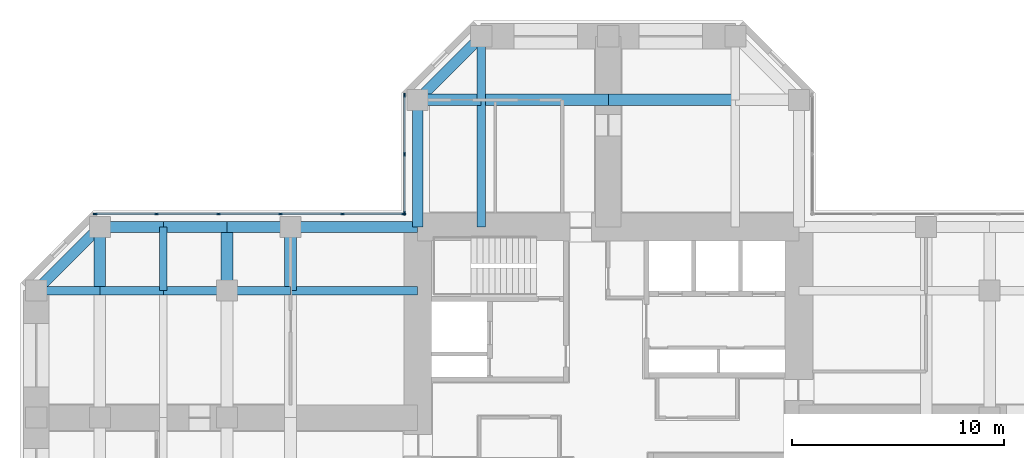
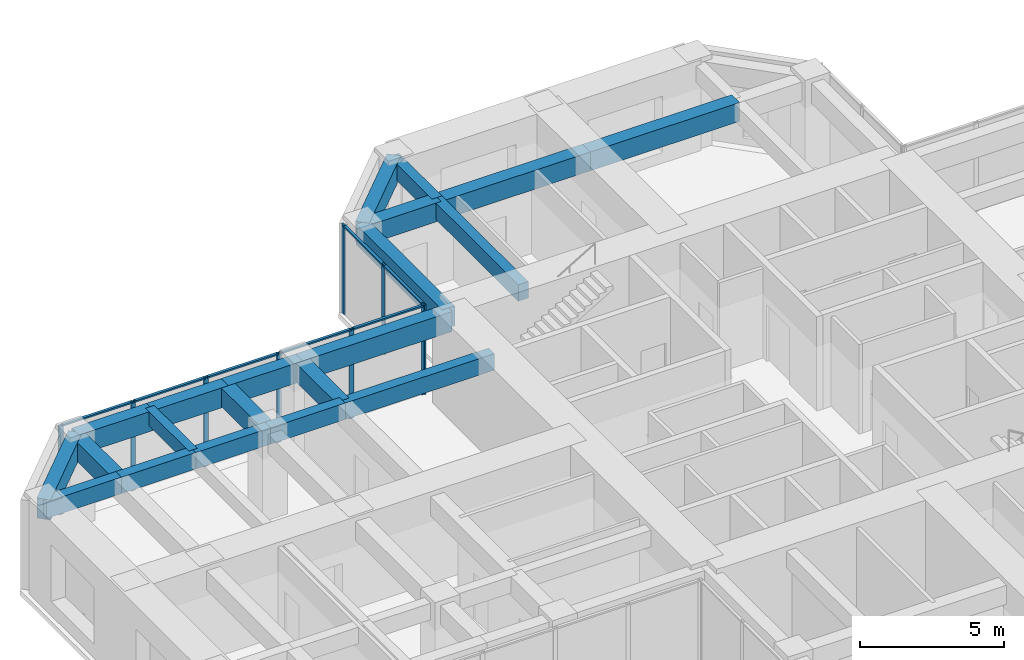
# One storey, part 5 of 12: 21 beams, 16 members, 2 elements without a shape of their own.
"""IFC4 building model written with IfcOpenShell, lengths in metres."""

from ifc_helpers import new_model, si_unit, direction, frame, origin, origin_2d, place, context, subcontext, project, spatial, rectangle, extrude, material, material_profile, profile_set, type_object, element, aggregate, save


model = new_model("IFC4")

# Units and contexts
model_context = context("Model", 3, precision=1e-05, world=origin(), true_north=direction((0.0, 1.0)))
body_context = subcontext(model_context, "Body", "Model", "MODEL_VIEW")
ifc_project = project(units=[si_unit("LENGTHUNIT", "METRE"), si_unit("AREAUNIT", "SQUARE_METRE"), si_unit("VOLUMEUNIT", "CUBIC_METRE"), si_unit("PLANEANGLEUNIT", "RADIAN"), si_unit("MASSUNIT", "GRAM", prefix="KILO")], contexts=[model_context])

# Site, building, storey
site_placement = place(None, origin())
site = spatial("IfcSite", under=ifc_project, at=site_placement, CompositionType="ELEMENT")
building_placement = place(site_placement, origin())
building = spatial("IfcBuilding", under=site, at=building_placement, Name="Torre Cruceta", CompositionType="ELEMENT")
storey_placement = place(building_placement, frame((0.0, 0.0, 140.5)))
storey = spatial("IfcBuildingStorey", under=building, at=storey_placement, Name="L34", CompositionType="ELEMENT", Elevation=140.5)

# Beams
ifc_material_1 = material(Name="Concrete G60 (fck 60 MPa)", Category="concrete")
ifc_material_profile_1 = material_profile(ifc_material_1, rectangle(XDim=0.39990234375, YDim=0.699951171875, at=origin_2d()), Name="RC 400X700")
ifc_profile_set_1 = profile_set([ifc_material_profile_1], Name="Concrete G60 (fck 60 MPa)")
beam_type_1 = type_object("IfcBeamType", Name="COLUMN LINE BEAM RC 400X700", PredefinedType="BEAM", material=ifc_profile_set_1)
beam_1_placement = place(storey_placement, frame((-6.0, 9.0, 3.449951171875), z_axis=(0.0, 1.0, 0.0), x_axis=(-1.0, 0.0, 0.0)))
element("IfcBeam", 1, at=beam_1_placement, inside=storey, type_object=beam_type_1, Name="LB5 L34 N col+ 1", PredefinedType="BEAM", context=body_context, shape_type="SweptSolid", body=[
    extrude(rectangle(XDim=0.39990234375, YDim=0.699951171875, at=origin_2d()), origin(), (0.0, 0.0, 1.0), 6.0),
])
beam_2_placement = place(storey_placement, frame((-6.0, 15.0, 3.449951171875), z_axis=(0.0, 1.0, 0.0), x_axis=(-1.0, 0.0, 0.0)))
element("IfcBeam", 2, at=beam_2_placement, inside=storey, type_object=beam_type_1, Name="LB5 L34 N col+ 2", PredefinedType="BEAM", context=body_context, shape_type="SweptSolid", body=[
    extrude(rectangle(XDim=0.39990234375, YDim=0.699951171875, at=origin_2d()), origin(), (0.0, 0.0, 1.0), 3.0),
])
beam_3_placement = place(storey_placement, frame((-9.0, 6.0, 3.449951171875), z_axis=(-1.0, 0.0, 0.0), x_axis=(0.0, -1.0, 0.0)))
element("IfcBeam", 3, at=beam_3_placement, inside=storey, type_object=beam_type_1, Name="LB5 L34 W col- 1", PredefinedType="BEAM", context=body_context, shape_type="SweptSolid", body=[
    extrude(rectangle(XDim=0.39990234375, YDim=0.699951171875, at=origin_2d()), origin(), (0.0, 0.0, 1.0), 6.0),
])
for number, where, z_axis, x_axis, name in (
    (4, (-15.0, 6.0, 3.449951171875), (-1.0, 0.0, 0.0), (0.0, -1.0, 0.0), "LB5 L34 W col- 2"),
    (5, (-18.0, 6.0, 3.449951171875), (-1.0, 0.0, 0.0), (0.0, -1.0, 0.0), "LB5 L34 W col- 3"),
    (6, (-21.0, 6.0, 3.449951171875), (-1.0, 0.0, 0.0), (0.0, -1.0, 0.0), "LB5 L34 W col- 4"),
    (7, (-24.0, 6.0, 3.449951171875), (-1.0, 0.0, 0.0), (0.0, -1.0, 0.0), "LB5 L34 W col- 5"),
):
    element("IfcBeam", number, at=place(storey_placement, frame(where, z_axis=z_axis, x_axis=x_axis)), inside=storey, type_object=beam_type_1, Name=name, PredefinedType="BEAM", context=body_context, shape_type="SweptSolid", body=[
        extrude(rectangle(XDim=0.39990234375, YDim=0.699951171875, at=origin_2d()), origin(), (0.0, 0.0, 1.0), 3.0),
    ])
ifc_material_2 = material(Name="Concrete G60 (fck 60 MPa)", Category="concrete")
ifc_material_profile_2 = material_profile(ifc_material_2, rectangle(XDim=0.550048828125, YDim=0.800048828125, at=origin_2d()), Name="RC 550X800")
ifc_profile_set_2 = profile_set([ifc_material_profile_2], Name="Concrete G60 (fck 60 MPa)")
beam_type_2 = type_object("IfcBeamType", Name="CROSS BEAM RC 550X800", PredefinedType="BEAM", material=ifc_profile_set_2)
for number, where, z_axis, x_axis, name in (
    (8, (6.0, 15.0, 3.39990234375), (-1.0, 0.0, 0.0), (0.0, -1.0, 0.0), "GB5 L34 N cross15 2"),
    (9, (0.0, 15.0, 3.39990234375), (-1.0, 0.0, 0.0), (0.0, -1.0, 0.0), "GB5 L34 N cross15 3"),
):
    element("IfcBeam", number, at=place(storey_placement, frame(where, z_axis=z_axis, x_axis=x_axis)), inside=storey, type_object=beam_type_2, Name=name, PredefinedType="BEAM", context=body_context, shape_type="SweptSolid", body=[
        extrude(rectangle(XDim=0.550048828125, YDim=0.800048828125, at=origin_2d()), origin(), (0.0, 0.0, 1.0), 6.0),
    ])
for number, where, z_axis, x_axis, name in (
    (10, (-6.0, 15.0, 3.39990234375), (-1.0, 0.0, 0.0), (0.0, -1.0, 0.0), "GB5 L34 N cross15 4"),
    (11, (-15.0, 9.0, 3.39990234375), (0.0, -1.0, 0.0), (1.0, 0.0, 0.0), "GB5 L34 W cross15 1"),
    (12, (-18.0, 9.0, 3.39990234375), (0.0, -1.0, 0.0), (1.0, 0.0, 0.0), "GB5 L34 W cross18 1"),
    (13, (-24.0, 9.0, 3.39990234375), (0.0, -1.0, 0.0), (1.0, 0.0, 0.0), "GB5 L34 W cross24 1"),
):
    element("IfcBeam", number, at=place(storey_placement, frame(where, z_axis=z_axis, x_axis=x_axis)), inside=storey, type_object=beam_type_2, Name=name, PredefinedType="BEAM", context=body_context, shape_type="SweptSolid", body=[
        extrude(rectangle(XDim=0.550048828125, YDim=0.800048828125, at=origin_2d()), origin(), (0.0, 0.0, 1.0), 3.0),
    ])

# Curtain wall, members
ifc_material_3 = material(Name="Aluminium unitised curtain wall", Category="aluminium")
curtain_wall_type = type_object("IfcCurtainWallType", Name="CURTAIN WALL CW-B OFFICE MID RISE", PredefinedType="USERDEFINED", material=ifc_material_3)
curtain_wall_1_placement = place(storey_placement, origin())
curtain_wall_1 = element("IfcCurtainWall", 14, at=curtain_wall_1_placement, inside=storey, type_object=curtain_wall_type, Name="CW-B L34 N side 09", ObjectType="UNITISED", PredefinedType="USERDEFINED")
ifc_material_4 = material(Name="Aluminium mullion", Category="aluminium")
ifc_material_profile_3 = material_profile(ifc_material_4, rectangle(XDim=0.06494140625, YDim=0.179931640625, at=origin_2d()), Name="AL 65X180")
ifc_profile_set_3 = profile_set([ifc_material_profile_3], Name="Aluminium mullion")
member_type_1 = type_object("IfcMemberType", Name="CW-B MULLION 65X180", PredefinedType="MULLION", material=ifc_profile_set_3)
member_1_placement = place(storey_placement, frame((-9.6201171875, 15.224365234375, 0.0), z_axis=(0.0, 0.0, 1.0), x_axis=(1.0, 0.0, 0.0)))
member_1 = element("IfcMember", 15, at=member_1_placement, type_object=member_type_1, Name="CW-B mullion 1", PredefinedType="MULLION", context=body_context, shape_type="SweptSolid", body=[
    extrude(rectangle(XDim=0.06494140625, YDim=0.179931640625, at=origin_2d()), origin(), (0.0, 0.0, 1.0), 3.800048828125),
])
member_2_placement = place(storey_placement, frame((-9.6201171875, 12.4384765625, 0.0), z_axis=(0.0, 0.0, 1.0), x_axis=(1.0, 0.0, 0.0)))
member_2 = element("IfcMember", 16, at=member_2_placement, type_object=member_type_1, Name="CW-B mullion 2", PredefinedType="MULLION", context=body_context, shape_type="SweptSolid", body=[
    extrude(rectangle(XDim=0.06494140625, YDim=0.179931640625, at=origin_2d()), origin(), (0.0, 0.0, 1.0), 3.800048828125),
])
member_3_placement = place(storey_placement, frame((-9.6201171875, 9.652587890625, 0.0), z_axis=(0.0, 0.0, 1.0), x_axis=(1.0, 0.0, 0.0)))
member_3 = element("IfcMember", 17, at=member_3_placement, type_object=member_type_1, Name="CW-B mullion 3", PredefinedType="MULLION", context=body_context, shape_type="SweptSolid", body=[
    extrude(rectangle(XDim=0.06494140625, YDim=0.179931640625, at=origin_2d()), origin(), (0.0, 0.0, 1.0), 3.800048828125),
])

curtain_wall_2_placement = place(storey_placement, origin())
curtain_wall_2 = element("IfcCurtainWall", 18, at=curtain_wall_2_placement, inside=storey, type_object=curtain_wall_type, Name="CW-B L34 W side 10", ObjectType="UNITISED", PredefinedType="USERDEFINED")
member_4_placement = place(storey_placement, frame((-9.652587890625, 9.6201171875, 0.0), z_axis=(0.0, 0.0, 1.0), x_axis=(0.0, -1.0, 0.0)))
member_4 = element("IfcMember", 19, at=member_4_placement, type_object=member_type_1, Name="CW-B mullion 1", PredefinedType="MULLION", context=body_context, shape_type="SweptSolid", body=[
    extrude(rectangle(XDim=0.06494140625, YDim=0.179931640625, at=origin_2d()), origin(), (0.0, 0.0, 1.0), 3.800048828125),
])
member_5_placement = place(storey_placement, frame((-12.54736328125, 9.6201171875, 0.0), z_axis=(0.0, 0.0, 1.0), x_axis=(0.0, -1.0, 0.0)))
member_5 = element("IfcMember", 20, at=member_5_placement, type_object=member_type_1, Name="CW-B mullion 2", PredefinedType="MULLION", context=body_context, shape_type="SweptSolid", body=[
    extrude(rectangle(XDim=0.06494140625, YDim=0.179931640625, at=origin_2d()), origin(), (0.0, 0.0, 1.0), 3.800048828125),
])
member_6_placement = place(storey_placement, frame((-15.474609375, 9.6201171875, 0.0), z_axis=(0.0, 0.0, 1.0), x_axis=(0.0, -1.0, 0.0)))
member_6 = element("IfcMember", 21, at=member_6_placement, type_object=member_type_1, Name="CW-B mullion 3", PredefinedType="MULLION", context=body_context, shape_type="SweptSolid", body=[
    extrude(rectangle(XDim=0.06494140625, YDim=0.179931640625, at=origin_2d()), origin(), (0.0, 0.0, 1.0), 3.800048828125),
])
member_7_placement = place(storey_placement, frame((-18.402099609375, 9.6201171875, 0.0), z_axis=(0.0, 0.0, 1.0), x_axis=(0.0, -1.0, 0.0)))
member_7 = element("IfcMember", 22, at=member_7_placement, type_object=member_type_1, Name="CW-B mullion 4", PredefinedType="MULLION", context=body_context, shape_type="SweptSolid", body=[
    extrude(rectangle(XDim=0.06494140625, YDim=0.179931640625, at=origin_2d()), origin(), (0.0, 0.0, 1.0), 3.800048828125),
])
member_8_placement = place(storey_placement, frame((-21.329345703125, 9.6201171875, 0.0), z_axis=(0.0, 0.0, 1.0), x_axis=(0.0, -1.0, 0.0)))
member_8 = element("IfcMember", 23, at=member_8_placement, type_object=member_type_1, Name="CW-B mullion 5", PredefinedType="MULLION", context=body_context, shape_type="SweptSolid", body=[
    extrude(rectangle(XDim=0.06494140625, YDim=0.179931640625, at=origin_2d()), origin(), (0.0, 0.0, 1.0), 3.800048828125),
])
member_9_placement = place(storey_placement, frame((-24.224365234375, 9.6201171875, 0.0), z_axis=(0.0, 0.0, 1.0), x_axis=(0.0, -1.0, 0.0)))
member_9 = element("IfcMember", 24, at=member_9_placement, type_object=member_type_1, Name="CW-B mullion 6", PredefinedType="MULLION", context=body_context, shape_type="SweptSolid", body=[
    extrude(rectangle(XDim=0.06494140625, YDim=0.179931640625, at=origin_2d()), origin(), (0.0, 0.0, 1.0), 3.800048828125),
])

# Member
ifc_material_5 = material(Name="Aluminium transom", Category="aluminium")
ifc_material_profile_4 = material_profile(ifc_material_5, rectangle(XDim=0.110107421875, YDim=0.06494140625, at=origin_2d()), Name="AL 110X65")
ifc_profile_set_4 = profile_set([ifc_material_profile_4], Name="Aluminium transom")
member_type_2 = type_object("IfcMemberType", Name="CW-B TRANSOM 65X110", PredefinedType="USERDEFINED", material=ifc_profile_set_4)
member_10_placement = place(storey_placement, frame((-9.6201171875, 15.19189453125, 3.767578125), z_axis=(0.0, -1.0, 0.0), x_axis=(1.0, 0.0, 0.0)))
member_10 = element("IfcMember", 25, at=member_10_placement, type_object=member_type_2, Name="CW-B transom 1", ObjectType="TRANSOM", PredefinedType="USERDEFINED", context=body_context, shape_type="SweptSolid", body=[
    extrude(rectangle(XDim=0.110107421875, YDim=0.06494140625, at=origin_2d()), origin(), (0.0, 0.0, 1.0), 2.720947265625),
])

member_11_placement = place(storey_placement, frame((-9.6201171875, 12.406005859375, 3.767578125), z_axis=(0.0, -1.0, 0.0), x_axis=(1.0, 0.0, 0.0)))
member_11 = element("IfcMember", 26, at=member_11_placement, type_object=member_type_2, Name="CW-B transom 2", ObjectType="TRANSOM", PredefinedType="USERDEFINED", context=body_context, shape_type="SweptSolid", body=[
    extrude(rectangle(XDim=0.110107421875, YDim=0.06494140625, at=origin_2d()), origin(), (0.0, 0.0, 1.0), 2.720947265625),
])

aggregate(curtain_wall_1, [member_1, member_2, member_3, member_10, member_11])

member_12_placement = place(storey_placement, frame((-9.68505859375, 9.6201171875, 3.767578125), z_axis=(-1.0, 0.0, 0.0), x_axis=(0.0, -1.0, 0.0)))
member_12 = element("IfcMember", 27, at=member_12_placement, type_object=member_type_2, Name="CW-B transom 1", ObjectType="TRANSOM", PredefinedType="USERDEFINED", context=body_context, shape_type="SweptSolid", body=[
    extrude(rectangle(XDim=0.110107421875, YDim=0.06494140625, at=origin_2d()), origin(), (0.0, 0.0, 1.0), 2.829833984375),
])

member_13_placement = place(storey_placement, frame((-12.579833984375, 9.6201171875, 3.767578125), z_axis=(-1.0, 0.0, 0.0), x_axis=(0.0, -1.0, 0.0)))
member_13 = element("IfcMember", 28, at=member_13_placement, type_object=member_type_2, Name="CW-B transom 2", ObjectType="TRANSOM", PredefinedType="USERDEFINED", context=body_context, shape_type="SweptSolid", body=[
    extrude(rectangle(XDim=0.110107421875, YDim=0.06494140625, at=origin_2d()), origin(), (0.0, 0.0, 1.0), 2.8623046875),
])

member_14_placement = place(storey_placement, frame((-15.50732421875, 9.6201171875, 3.767578125), z_axis=(-1.0, 0.0, 0.0), x_axis=(0.0, -1.0, 0.0)))
member_14 = element("IfcMember", 29, at=member_14_placement, type_object=member_type_2, Name="CW-B transom 3", ObjectType="TRANSOM", PredefinedType="USERDEFINED", context=body_context, shape_type="SweptSolid", body=[
    extrude(rectangle(XDim=0.110107421875, YDim=0.06494140625, at=origin_2d()), origin(), (0.0, 0.0, 1.0), 2.8623046875),
])

member_15_placement = place(storey_placement, frame((-18.4345703125, 9.6201171875, 3.767578125), z_axis=(-1.0, 0.0, 0.0), x_axis=(0.0, -1.0, 0.0)))
member_15 = element("IfcMember", 30, at=member_15_placement, type_object=member_type_2, Name="CW-B transom 4", ObjectType="TRANSOM", PredefinedType="USERDEFINED", context=body_context, shape_type="SweptSolid", body=[
    extrude(rectangle(XDim=0.110107421875, YDim=0.06494140625, at=origin_2d()), origin(), (0.0, 0.0, 1.0), 2.8623046875),
])

member_16_placement = place(storey_placement, frame((-21.362060546875, 9.6201171875, 3.767578125), z_axis=(-1.0, 0.0, 0.0), x_axis=(0.0, -1.0, 0.0)))
member_16 = element("IfcMember", 31, at=member_16_placement, type_object=member_type_2, Name="CW-B transom 5", ObjectType="TRANSOM", PredefinedType="USERDEFINED", context=body_context, shape_type="SweptSolid", body=[
    extrude(rectangle(XDim=0.110107421875, YDim=0.06494140625, at=origin_2d()), origin(), (0.0, 0.0, 1.0), 2.829833984375),
])

aggregate(curtain_wall_2, [member_4, member_5, member_6, member_7, member_8, member_9, member_12, member_13, member_14, member_15, member_16])

# Beams
ifc_material_6 = material(Name="Concrete G60 (fck 60 MPa)", Category="concrete")
ifc_material_profile_5 = material_profile(ifc_material_6, rectangle(XDim=0.35009765625, YDim=0.60009765625, at=origin_2d()), Name="RC 350X600")
ifc_profile_set_5 = profile_set([ifc_material_profile_5], Name="Concrete G60 (fck 60 MPa)")
beam_type_3 = type_object("IfcBeamType", Name="SECONDARY BEAM RC 350X600", PredefinedType="JOIST", material=ifc_profile_set_5)
beam_4_placement = place(storey_placement, frame((-21.0, 9.0, 3.5), z_axis=(0.0, -1.0, 0.0), x_axis=(1.0, 0.0, 0.0)))
element("IfcBeam", 32, at=beam_4_placement, inside=storey, type_object=beam_type_3, Name="JB5 L34 W sec21 1", PredefinedType="JOIST", context=body_context, shape_type="SweptSolid", body=[
    extrude(rectangle(XDim=0.35009765625, YDim=0.60009765625, at=origin_2d()), origin(), (0.0, 0.0, 1.0), 3.0),
])
ifc_material_7 = material(Name="Concrete G60 (fck 60 MPa)", Category="concrete")
ifc_material_profile_6 = material_profile(ifc_material_7, rectangle(XDim=0.5, YDim=0.85009765625, at=origin_2d()), Name="RC 500X850")
ifc_profile_set_6 = profile_set([ifc_material_profile_6], Name="Concrete G60 (fck 60 MPa)")
beam_type_4 = type_object("IfcBeamType", Name="SPANDREL BEAM RC 500X850", PredefinedType="SPANDREL", material=ifc_profile_set_6)
beam_5_placement = place(storey_placement, frame((-9.0, 9.0, 3.375), z_axis=(0.0, 1.0, 0.0), x_axis=(-1.0, 0.0, 0.0)))
element("IfcBeam", 33, at=beam_5_placement, inside=storey, type_object=beam_type_4, Name="SB5 L34 N side+ 1", PredefinedType="SPANDREL", context=body_context, shape_type="SweptSolid", body=[
    extrude(rectangle(XDim=0.5, YDim=0.85009765625, at=origin_2d()), origin(), (0.0, 0.0, 1.0), 6.0),
])
beam_6_placement = place(storey_placement, frame((-9.0, 15.0, 3.375), z_axis=(0.707106781187, 0.707106781187, 0.0), x_axis=(-0.707106781187, 0.707106781187, 0.0)))
element("IfcBeam", 34, at=beam_6_placement, inside=storey, type_object=beam_type_4, Name="SB5 L34 N side+ 2", PredefinedType="SPANDREL", context=body_context, shape_type="SweptSolid", body=[
    extrude(rectangle(XDim=0.5, YDim=0.85009765625, at=origin_2d()), origin(), (0.0, 0.0, 1.0), 4.24267578125),
])
beam_7_placement = place(storey_placement, frame((-9.0, 9.0, 3.375), z_axis=(-1.0, 0.0, 0.0), x_axis=(0.0, -1.0, 0.0)))
element("IfcBeam", 35, at=beam_7_placement, inside=storey, type_object=beam_type_4, Name="SB5 L34 W side- 1", PredefinedType="SPANDREL", context=body_context, shape_type="SweptSolid", body=[
    extrude(rectangle(XDim=0.5, YDim=0.85009765625, at=origin_2d()), origin(), (0.0, 0.0, 1.0), 6.0),
])
for number, where, z_axis, x_axis, name in (
    (36, (-15.0, 9.0, 3.375), (-1.0, 0.0, 0.0), (0.0, -1.0, 0.0), "SB5 L34 W side- 2"),
    (37, (-18.0, 9.0, 3.375), (-1.0, 0.0, 0.0), (0.0, -1.0, 0.0), "SB5 L34 W side- 3"),
    (38, (-21.0, 9.0, 3.375), (-1.0, 0.0, 0.0), (0.0, -1.0, 0.0), "SB5 L34 W side- 4"),
):
    element("IfcBeam", number, at=place(storey_placement, frame(where, z_axis=z_axis, x_axis=x_axis)), inside=storey, type_object=beam_type_4, Name=name, PredefinedType="SPANDREL", context=body_context, shape_type="SweptSolid", body=[
        extrude(rectangle(XDim=0.5, YDim=0.85009765625, at=origin_2d()), origin(), (0.0, 0.0, 1.0), 3.0),
    ])
beam_8_placement = place(storey_placement, frame((-24.0, 9.0, 3.375), z_axis=(-0.707106781187, -0.707106781187, 0.0), x_axis=(0.707106781187, -0.707106781187, 0.0)))
element("IfcBeam", 39, at=beam_8_placement, inside=storey, type_object=beam_type_4, Name="SB5 L34 W side- 5", PredefinedType="SPANDREL", context=body_context, shape_type="SweptSolid", body=[
    extrude(rectangle(XDim=0.5, YDim=0.85009765625, at=origin_2d()), origin(), (0.0, 0.0, 1.0), 4.24267578125),
])

save(model, "model.ifc")
